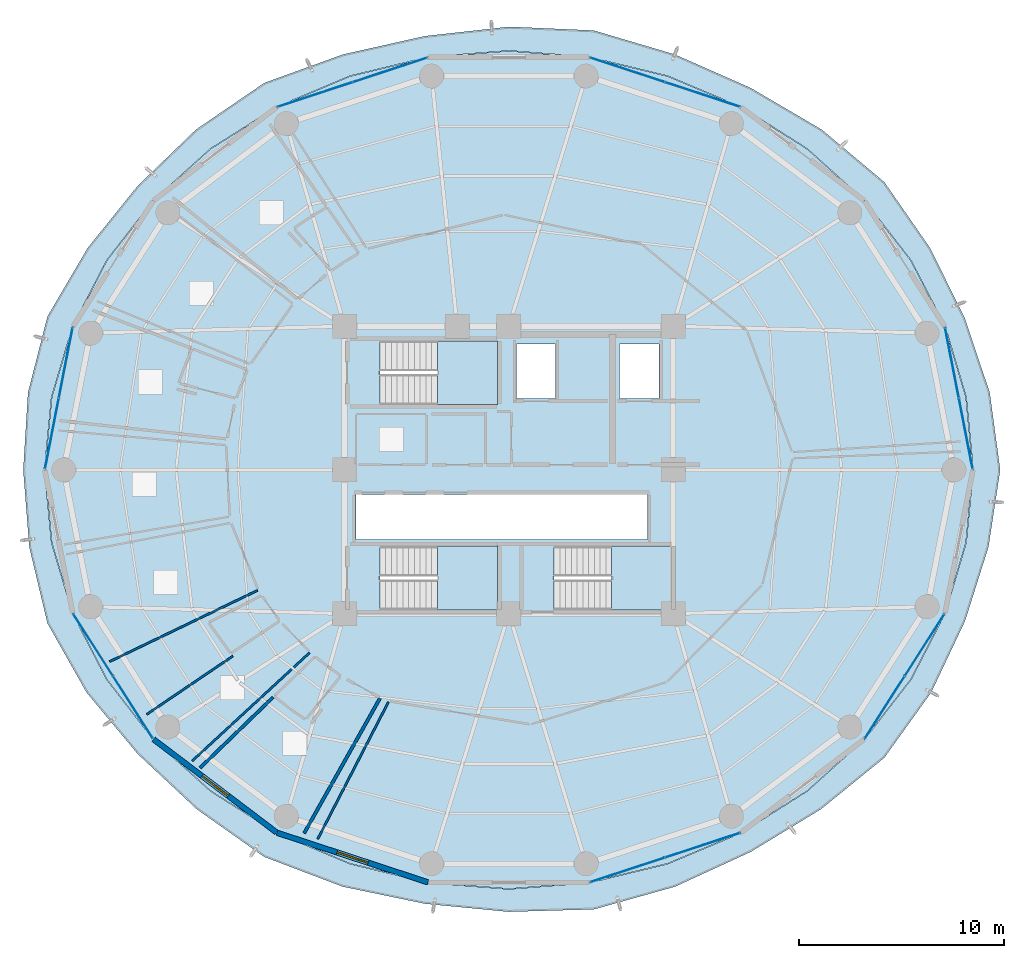
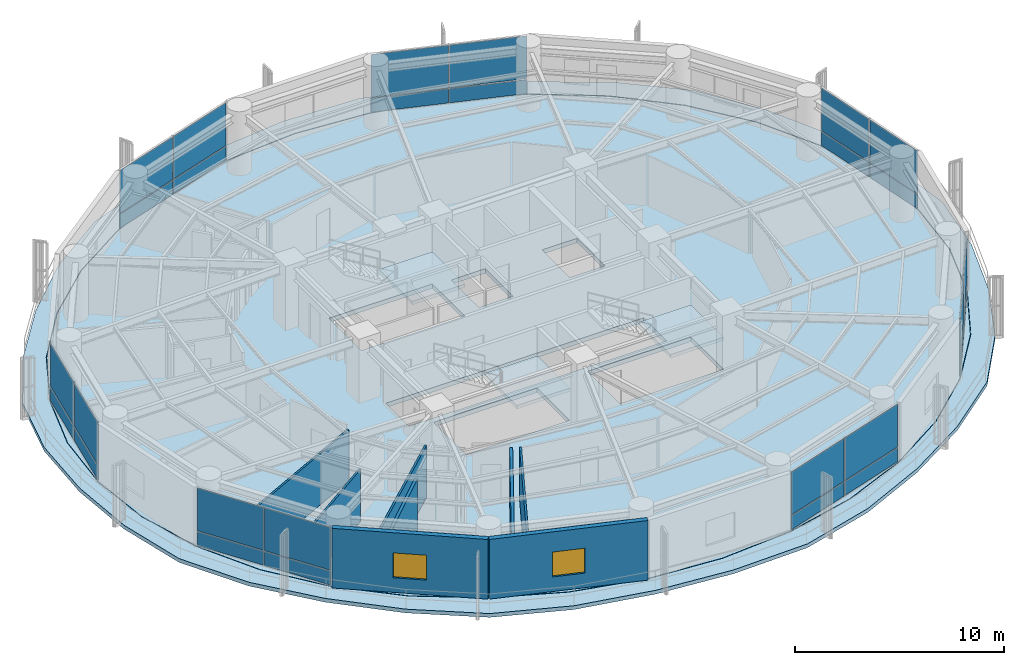
# One storey, part 20 of 28: 28 plates, 8 walls, 5 slabs, 2 windows, 2 openings, 10 elements without a shape of their own.
"""IFC4 building model written with IfcOpenShell, lengths in metres."""

import ifcopenshell
import ifcopenshell.guid

model = None  # the IFC model being written
_history = None  # IfcOwnerHistory: only IFC2X3 demands one
_inside = {}  # id of a spatial element -> (the spatial element, [elements in it])
_under = {}  # id of a project, library or spatial element -> (it, [spatial elements below it])
_declared = {}  # id of a project -> (the project, [libraries it declares])
_typed = {}  # id of a type object -> (the type object, [elements of that type])
_made_of = {}  # id of a material, layer set ... -> (it, [elements and type objects made of it])


def new_model(schema):
    """Start an empty IFC model of exactly this schema.

    Asked for "IFC4X3", IfcOpenShell would pick the latest addendum, in which some entities
    have other attributes; the version numbers below select the first issue.
    IFC2X3 requires an IfcOwnerHistory on every rooted entity: one is made here for all.
    """
    global model, _history
    if schema == "IFC4X3":
        model = ifcopenshell.file(schema_version=(4, 3, 0, 0))
    else:
        model = ifcopenshell.file(schema=schema)
    _inside.clear()
    _under.clear()
    _declared.clear()
    _typed.clear()
    _made_of.clear()
    _history = None
    if model.schema == "IFC2X3":
        org = make("IfcOrganization", Name="unknown")
        user = make(
            "IfcPersonAndOrganization",
            ThePerson=make("IfcPerson", FamilyName="unknown"),
            TheOrganization=org,
        )
        app = make(
            "IfcApplication",
            ApplicationDeveloper=org,
            Version="unknown",
            ApplicationFullName="unknown",
            ApplicationIdentifier="unknown",
        )
        _history = make(
            "IfcOwnerHistory",
            OwningUser=user,
            OwningApplication=app,
            ChangeAction="ADDED",
            CreationDate=0,
        )
    return model


def make(cls, **values):
    """One entity of the class cls with the attributes given. An attribute that is None is left unset."""
    return model.create_entity(
        cls, **{name: value for name, value in values.items() if value is not None}
    )


def rooted(cls, **values):
    """An entity with a GlobalId (a new one), such as an element, a storey or a relation."""
    return make(cls, GlobalId=ifcopenshell.guid.new(), OwnerHistory=_history, **values)


def si_unit(unit_type, name, prefix=None):
    """IfcSIUnit, for example si_unit("LENGTHUNIT", "METRE", prefix="MILLI")."""
    return make("IfcSIUnit", UnitType=unit_type, Prefix=prefix, Name=name)


def assignment(units):
    """IfcUnitAssignment: the units of a project."""
    return None if units is None else make("IfcUnitAssignment", Units=units)


def point(xyz):
    """IfcCartesianPoint."""
    return None if xyz is None else make("IfcCartesianPoint", Coordinates=xyz)


def direction(xyz):
    """IfcDirection."""
    return None if xyz is None else make("IfcDirection", DirectionRatios=xyz)


def frame(location, z_axis=None, x_axis=None):
    """IfcAxis2Placement3D, a coordinate frame: its origin and axes. An axis left out is left unset."""
    return make(
        "IfcAxis2Placement3D",
        Location=point(location),
        Axis=direction(z_axis),
        RefDirection=direction(x_axis),
    )


def frame_2d(location, x_axis=None):
    """IfcAxis2Placement2D, a coordinate frame in the plane: its origin and x axis."""
    return make(
        "IfcAxis2Placement2D", Location=point(location), RefDirection=direction(x_axis)
    )


def origin():
    """The frame at (0, 0, 0) with its axes left unset."""
    return frame((0.0, 0.0, 0.0))


def origin_2d():
    """The frame at (0, 0) in the plane with its x axis left unset."""
    return frame_2d((0.0, 0.0))


def place(relative_to, where):
    """IfcLocalPlacement: puts the frame where relative to a parent placement (None: the world)."""
    return make(
        "IfcLocalPlacement", PlacementRelTo=relative_to, RelativePlacement=where
    )


def context(
    kind, dimensions, precision=None, world=None, true_north=None, identifier=None
):
    """IfcGeometricRepresentationContext, for example the 3D "Model" context."""
    return make(
        "IfcGeometricRepresentationContext",
        ContextIdentifier=identifier,
        ContextType=kind,
        CoordinateSpaceDimension=dimensions,
        Precision=precision,
        WorldCoordinateSystem=world,
        TrueNorth=true_north,
    )


def subcontext(parent, identifier, kind, view, scale=None):
    """IfcGeometricRepresentationSubContext, for example "Body" below "Model"."""
    return make(
        "IfcGeometricRepresentationSubContext",
        ContextIdentifier=identifier,
        ContextType=kind,
        ParentContext=parent,
        TargetScale=scale,
        TargetView=view,
    )


def project(units=None, contexts=None):
    """IfcProject with its units and contexts."""
    return rooted(
        "IfcProject",
        Name="project",
        RepresentationContexts=contexts,
        UnitsInContext=assignment(units),
    )


def spatial(cls, under=None, at=None, **own):
    """A site, building, storey or space (cls), placed at a placement, below another one or the project."""
    s = rooted(cls, ObjectPlacement=at, **own)
    if under is not None:
        _under.setdefault(under.id(), (under, []))[1].append(s)
    return s


def polyline(points):
    """IfcPolyline through the points."""
    return make("IfcPolyline", Points=[point(p) for p in points])


def profile(cls, at=None, kind="AREA", **sizes):
    """A parametric profile (cls). Its sizes go by their IFC names, for example OverallWidth=200.0."""
    return make(cls, ProfileType=kind, Position=at, **sizes)


def rectangle(**sizes):
    """IfcRectangleProfileDef."""
    return profile("IfcRectangleProfileDef", **sizes)


def outline(outer, holes=None, kind="AREA"):
    """IfcArbitraryClosedProfileDef: a profile drawn as a closed curve; with holes, ...WithVoids."""
    if holes is None:
        return make("IfcArbitraryClosedProfileDef", ProfileType=kind, OuterCurve=outer)
    return make(
        "IfcArbitraryProfileDefWithVoids",
        ProfileType=kind,
        OuterCurve=outer,
        InnerCurves=holes,
    )


def extrude(swept, where, along, depth):
    """IfcExtrudedAreaSolid: the profile swept, set in the frame where, extruded along a direction by depth."""
    return make(
        "IfcExtrudedAreaSolid",
        SweptArea=swept,
        Position=where,
        ExtrudedDirection=direction(along),
        Depth=depth,
    )


def shape(context_of_items, identifier, shape_type, items):
    """IfcShapeRepresentation: the items that make up one representation, for example the "Body"."""
    return make(
        "IfcShapeRepresentation",
        ContextOfItems=context_of_items,
        RepresentationIdentifier=identifier,
        RepresentationType=shape_type,
        Items=items,
    )


def source(mapping_origin, context_of_items, identifier, shape_type, items):
    """IfcRepresentationMap: a shape defined once, which mapped items show again and again."""
    return make(
        "IfcRepresentationMap",
        MappingOrigin=mapping_origin,
        MappedRepresentation=shape(context_of_items, identifier, shape_type, items),
    )


def transform(
    local_origin,
    x_axis=None,
    y_axis=None,
    z_axis=None,
    scale=None,
    scale2=None,
    scale3=None,
    uniform=True,
):
    """IfcCartesianTransformationOperator3D, or its non-uniform kind. x_axis, y_axis, z_axis: its Axis1, 2, 3."""
    if uniform:
        return make(
            "IfcCartesianTransformationOperator3D",
            Axis1=direction(x_axis),
            Axis2=direction(y_axis),
            LocalOrigin=point(local_origin),
            Scale=scale,
            Axis3=direction(z_axis),
        )
    return make(
        "IfcCartesianTransformationOperator3DnonUniform",
        Axis1=direction(x_axis),
        Axis2=direction(y_axis),
        LocalOrigin=point(local_origin),
        Scale=scale,
        Axis3=direction(z_axis),
        Scale2=scale2,
        Scale3=scale3,
    )


def mapped(mapping_source, mapping_target):
    """IfcMappedItem: shows the shape of a source again, moved by a transform."""
    return make(
        "IfcMappedItem", MappingSource=mapping_source, MappingTarget=mapping_target
    )


def material(Name=None, Category=None):
    """IfcMaterial."""
    return make("IfcMaterial", Name=Name, Category=Category)


def layer(
    of_material, thickness, ventilated=None, Name=None, Category=None, Priority=None
):
    """IfcMaterialLayer: one layer of a wall or slab, of a material (None: an air gap)."""
    return make(
        "IfcMaterialLayer",
        Material=of_material,
        LayerThickness=thickness,
        IsVentilated=ventilated,
        Name=Name,
        Category=Category,
        Priority=Priority,
    )


def layer_set(layers, Name=None):
    """IfcMaterialLayerSet."""
    return make("IfcMaterialLayerSet", MaterialLayers=layers, LayerSetName=Name)


def made_of(thing, what):
    """Note that an element or type object is made of a material, layer set ...; save() writes the relation."""
    if what is not None:
        _made_of.setdefault(what.id(), (what, []))[1].append(thing)
    return thing


def type_object(cls, material=None, **own):
    """A type object (cls), such as IfcWallType, which elements share."""
    return made_of(rooted(cls, **own), material)


def element(
    cls,
    number,
    at=None,
    inside=None,
    cuts=None,
    type_object=None,
    material=None,
    context=None,
    identifier="Body",
    shape_type=None,
    held_by="IfcProductDefinitionShape",
    body=None,
    shapes=None,
    **own,
):
    """One element of the class cls, such as IfcWall. Its Tag is "e" and its number.

    at: its placement. inside: the storey or other place that contains it. cuts: it is an
    opening in that element (IfcRelVoidsElement). A single representation is given by context,
    identifier, shape_type and body (its items); several are given by shapes. held_by: the class
    of the entity that holds the representations. save() writes the other relations.
    """
    e = rooted(cls, Tag="e%d" % number, ObjectPlacement=at, **own)
    if body is not None:
        shapes = [shape(context, identifier, shape_type, body)]
    if shapes is not None:
        e.Representation = make(held_by, Representations=shapes)
    if inside is not None:
        _inside.setdefault(inside.id(), (inside, []))[1].append(e)
    if cuts is not None:
        rooted(
            "IfcRelVoidsElement", RelatingBuildingElement=cuts, RelatedOpeningElement=e
        )
    if type_object is not None:
        _typed.setdefault(type_object.id(), (type_object, []))[1].append(e)
    return made_of(e, material)


def fill(opening, filler):
    """IfcRelFillsElement: the door or window that sits in an opening."""
    return rooted(
        "IfcRelFillsElement",
        RelatingOpeningElement=opening,
        RelatedBuildingElement=filler,
    )


def aggregate(whole, parts):
    """IfcRelAggregates: a whole, such as a stair, and the parts it consists of."""
    return rooted("IfcRelAggregates", RelatingObject=whole, RelatedObjects=parts)


def save(model, path):
    """Write the relations noted so far, then the file.

    IfcRelAggregates (storeys below a building ...), IfcRelContainedInSpatialStructure (elements
    in a storey), IfcRelDefinesByType, IfcRelAssociatesMaterial and IfcRelDeclares: one each for
    every whole, place, type object, material and project.
    """
    for whole, parts in _under.values():
        aggregate(whole, parts)
    for where, things in _inside.values():
        rooted(
            "IfcRelContainedInSpatialStructure",
            RelatedElements=things,
            RelatingStructure=where,
        )
    for kind, things in _typed.values():
        rooted("IfcRelDefinesByType", RelatedObjects=things, RelatingType=kind)
    for what, things in _made_of.values():
        rooted("IfcRelAssociatesMaterial", RelatedObjects=things, RelatingMaterial=what)
    for by, libraries in _declared.values():
        rooted("IfcRelDeclares", RelatingContext=by, RelatedDefinitions=libraries)
    model.write(path)


model = new_model("IFC4")

# Units and contexts
model_context = context("Model", 3, precision=1e-05, world=origin(), true_north=direction((0.0, 1.0)))
body_context = subcontext(model_context, "Body", "Model", "MODEL_VIEW")
ifc_project = project(units=[si_unit("LENGTHUNIT", "METRE"), si_unit("AREAUNIT", "SQUARE_METRE"), si_unit("VOLUMEUNIT", "CUBIC_METRE"), si_unit("PLANEANGLEUNIT", "RADIAN"), si_unit("MASSUNIT", "GRAM", prefix="KILO")], contexts=[model_context])

# Site, building, storey
site_placement = place(None, origin())
site = spatial("IfcSite", under=ifc_project, at=site_placement, CompositionType="ELEMENT")
building_placement = place(site_placement, origin())
building = spatial("IfcBuilding", under=site, at=building_placement, Name="Kelanora Arch Commons", CompositionType="ELEMENT")
storey_placement = place(building_placement, frame((0.0, 0.0, 161.85009765625)))
storey = spatial("IfcBuildingStorey", under=building, at=storey_placement, Name="L41", CompositionType="ELEMENT", Elevation=161.85009765625)

# Stair, slab
ifc_material_1 = material(Name="Concrete C40/50", Category="concrete")
stair_type = type_object("IfcStairType", Name="STR-DL-375", PredefinedType="HALF_TURN_STAIR", material=ifc_material_1)
stair_1_placement = place(storey_placement, origin())
stair_1 = element("IfcStair", 1, at=stair_1_placement, inside=storey, type_object=stair_type, Name="L41 ST-T1", PredefinedType="HALF_TURN_STAIR")
ifc_layer_1 = layer(ifc_material_1, 0.199951171875)
ifc_layer_set_1 = layer_set([ifc_layer_1], Name="Concrete C40/50")
slab_type_1 = type_object("IfcSlabType", Name="SLB-STAIR-LND", PredefinedType="LANDING", material=ifc_layer_set_1)
slab_1_placement = place(storey_placement, frame((0.0, 0.0, 1.6748046875)))
slab_1 = element("IfcSlab", 2, at=slab_1_placement, type_object=slab_type_1, Name="ST-T1 landing 1", PredefinedType="LANDING", context=body_context, shape_type="SweptSolid", body=[
    extrude(outline(polyline([(70.52001953125, 61.179931640625), (73.43994140625, 61.179931640625), (73.43994140625, 64.2900390625), (70.52001953125, 64.2900390625), (70.52001953125, 61.179931640625)])), origin(), (0.0, 0.0, 1.0), 0.2001953125),
])
aggregate(stair_1, [slab_1])

stair_2_placement = place(storey_placement, origin())
stair_2 = element("IfcStair", 3, at=stair_2_placement, inside=storey, type_object=stair_type, Name="L41 ST-T2", PredefinedType="HALF_TURN_STAIR")
slab_2_placement = place(storey_placement, frame((0.0, 0.0, 1.6748046875)))
slab_2 = element("IfcSlab", 4, at=slab_2_placement, type_object=slab_type_1, Name="ST-T2 landing 1", PredefinedType="LANDING", context=body_context, shape_type="SweptSolid", body=[
    extrude(outline(polyline([(79.0, 51.179931640625), (81.919921875, 51.179931640625), (81.919921875, 54.2900390625), (79.0, 54.2900390625), (79.0, 51.179931640625)])), origin(), (0.0, 0.0, 1.0), 0.2001953125),
])
aggregate(stair_2, [slab_2])

stair_3_placement = place(storey_placement, origin())
stair_3 = element("IfcStair", 5, at=stair_3_placement, inside=storey, type_object=stair_type, Name="L41 ST-T3", PredefinedType="HALF_TURN_STAIR")
slab_3_placement = place(storey_placement, frame((0.0, 0.0, 1.6748046875)))
slab_3 = element("IfcSlab", 6, at=slab_3_placement, type_object=slab_type_1, Name="ST-T3 landing 1", PredefinedType="LANDING", context=body_context, shape_type="SweptSolid", body=[
    extrude(outline(polyline([(70.52001953125, 51.179931640625), (73.43994140625, 51.179931640625), (73.43994140625, 54.2900390625), (70.52001953125, 54.2900390625), (70.52001953125, 51.179931640625)])), origin(), (0.0, 0.0, 1.0), 0.2001953125),
])
aggregate(stair_3, [slab_3])

# Slabs
ifc_layer_2 = layer(ifc_material_1, 0.260009765625)
ifc_layer_set_2 = layer_set([ifc_layer_2], Name="Concrete C40/50")
slab_type_2 = type_object("IfcSlabType", Name="SLB-TWR-TYP", PredefinedType="FLOOR", material=ifc_layer_set_2)
slab_4_placement = place(storey_placement, frame((0.0, 0.0, -0.260009765625)))
element("IfcSlab", 7, at=slab_4_placement, inside=storey, type_object=slab_type_2, Name="Tower Floor Slab L41", PredefinedType="FLOOR", context=body_context, shape_type="SweptSolid", body=[
    extrude(outline(polyline([(96.60009765625, 58.0), (96.256591796875, 61.54248046875), (95.237060546875, 64.977294921875), (93.572265625, 68.199951171875), (91.3125, 71.11279296875), (88.527099609375, 73.627197265625), (85.300048828125, 75.6669921875), (81.729736328125, 77.169677734375), (77.92431640625, 78.090087890625), (74.0, 78.39990234375), (70.07568359375, 78.090087890625), (66.270263671875, 77.169677734375), (62.699951171875, 75.6669921875), (59.472900390625, 73.627197265625), (56.6875, 71.11279296875), (54.427734375, 68.199951171875), (52.762939453125, 64.977294921875), (51.743408203125, 61.54248046875), (51.39990234375, 58.0), (51.743408203125, 54.45751953125), (52.762939453125, 51.022705078125), (54.427734375, 47.800048828125), (56.6875, 44.88720703125), (59.472900390625, 42.372802734375), (62.699951171875, 40.3330078125), (66.270263671875, 38.830322265625), (70.07568359375, 37.909912109375), (74.0, 37.60009765625), (77.92431640625, 37.909912109375), (81.729736328125, 38.830322265625), (85.300048828125, 40.3330078125), (88.527099609375, 42.372802734375), (91.3125, 44.88720703125), (93.572265625, 47.800048828125), (95.237060546875, 51.022705078125), (96.256591796875, 54.45751953125), (96.60009765625, 58.0)]), holes=[polyline([(73.431884765625, 51.18798828125), (67.72802734375, 51.18798828125), (67.72802734375, 54.281982421875), (73.431884765625, 54.281982421875), (73.431884765625, 51.18798828125)]), polyline([(76.2080078125, 51.18798828125), (76.2080078125, 54.281982421875), (81.912109375, 54.281982421875), (81.912109375, 51.18798828125), (76.2080078125, 51.18798828125)]), polyline([(66.550048828125, 54.60009765625), (66.550048828125, 56.800048828125), (80.75, 56.800048828125), (80.75, 54.60009765625), (66.550048828125, 54.60009765625)]), polyline([(73.431884765625, 61.18798828125), (67.72802734375, 61.18798828125), (67.72802734375, 64.281982421875), (73.431884765625, 64.281982421875), (73.431884765625, 61.18798828125)]), polyline([(74.3798828125, 61.47998046875), (74.3798828125, 64.1201171875), (76.260009765625, 64.1201171875), (76.260009765625, 61.47998046875), (74.3798828125, 61.47998046875)]), polyline([(79.3798828125, 61.47998046875), (79.3798828125, 64.1201171875), (81.320068359375, 64.1201171875), (81.320068359375, 61.47998046875), (79.3798828125, 61.47998046875)])]), origin(), (0.0, 0.0, 1.0), 0.260009765625),
])
ifc_layer_3 = layer(ifc_material_1, 0.219970703125)
ifc_layer_set_3 = layer_set([ifc_layer_3], Name="Concrete C40/50")
slab_type_3 = type_object("IfcSlabType", Name="SLB-WAVE-BAL", PredefinedType="FLOOR", material=ifc_layer_set_3)
slab_5_placement = place(storey_placement, frame((0.0, 0.0, -0.22021484375)))
element("IfcSlab", 8, at=slab_5_placement, inside=storey, type_object=slab_type_3, Name="Sinusoidal Wave Balcony Slab L41", PredefinedType="FLOOR", context=body_context, shape_type="SweptSolid", body=[
    extrude(outline(polyline([(97.9287109375, 58.0), (97.41748046875, 61.769287109375), (96.2109375, 65.369873046875), (94.515869140625, 68.8037109375), (92.285888671875, 72.017578125), (89.2412109375, 74.570068359375), (85.785400390625, 76.59814453125), (82.079345703125, 78.23388671875), (78.13330078125, 79.40234375), (74.0, 79.582763671875), (69.910400390625, 79.126953125), (65.920654296875, 78.23388671875), (62.0859375, 76.84521484375), (58.7587890625, 74.570068359375), (55.91845703125, 71.827880859375), (53.484130859375, 68.8037109375), (51.530517578125, 65.47412109375), (50.58251953125, 61.769287109375), (50.35009765625, 58.0), (50.643798828125, 54.242919921875), (51.530517578125, 50.52587890625), (53.431396484375, 47.16259765625), (55.91845703125, 44.172119140625), (58.796630859375, 41.479736328125), (62.0859375, 39.15478515625), (65.901123046875, 37.70654296875), (69.910400390625, 36.873046875), (74.0, 36.479736328125), (78.13330078125, 36.59765625), (82.098876953125, 37.70654296875), (85.785400390625, 39.40185546875), (89.203369140625, 41.479736328125), (92.285888671875, 43.982421875), (94.568603515625, 47.16259765625), (96.2109375, 50.630126953125), (97.356201171875, 54.242919921875), (97.9287109375, 58.0)]), holes=[polyline([(96.2763671875, 54.4541015625), (95.255859375, 51.015869140625), (93.589599609375, 47.7900390625), (91.327880859375, 44.874267578125), (88.539794921875, 42.357421875), (85.31005859375, 40.31591796875), (81.736572265625, 38.8115234375), (77.927978515625, 37.89013671875), (74.0, 37.580078125), (70.072021484375, 37.89013671875), (66.263427734375, 38.8115234375), (62.68994140625, 40.31591796875), (59.460205078125, 42.357421875), (56.672119140625, 44.874267578125), (54.410400390625, 47.7900390625), (52.744140625, 51.015869140625), (51.7236328125, 54.4541015625), (51.3798828125, 58.0), (51.7236328125, 61.5458984375), (52.744140625, 64.984130859375), (54.410400390625, 68.2099609375), (56.672119140625, 71.125732421875), (59.460205078125, 73.642578125), (62.68994140625, 75.68408203125), (66.263427734375, 77.1884765625), (70.072021484375, 78.10986328125), (74.0, 78.419921875), (77.927978515625, 78.10986328125), (81.736572265625, 77.1884765625), (85.31005859375, 75.68408203125), (88.539794921875, 73.642578125), (91.327880859375, 71.125732421875), (93.589599609375, 68.2099609375), (95.255859375, 64.984130859375), (96.2763671875, 61.5458984375), (96.6201171875, 58.0), (96.2763671875, 54.4541015625)])]), origin(), (0.0, 0.0, 1.0), 0.22021484375),
])

# Curtain wall, plates
ifc_material_2 = material(Name="Terracotta ceramic-fritted low-E glass and aluminium", Category="masonry")
ifc_layer_4 = layer(ifc_material_2, 0.175048828125)
ifc_layer_set_4 = layer_set([ifc_layer_4], Name="Terracotta ceramic-fritted low-E glass and aluminium")
curtain_wall_type = type_object("IfcCurtainWallType", Name="CW-SYS-02", PredefinedType="NOTDEFINED", material=ifc_layer_set_4)
curtain_wall_1_placement = place(storey_placement, origin())
curtain_wall_1 = element("IfcCurtainWall", 9, at=curtain_wall_1_placement, inside=storey, type_object=curtain_wall_type, Name="Unitised Curtain Wall L41-B00", PredefinedType="NOTDEFINED")
ifc_material_3 = material(Name="Terracotta ceramic-fritted double glazing", Category="masonry")
ifc_layer_5 = layer(ifc_material_3, 0.028076171875)
ifc_layer_set_5 = layer_set([ifc_layer_5], Name="Terracotta ceramic-fritted double glazing")
plate_type = type_object("IfcPlateType", Name="CWP-FRIT", PredefinedType="CURTAIN_PANEL", material=ifc_layer_set_5)
shared_shape_1 = source(origin(), body_context, "Body", "SweptSolid", [
    extrude(rectangle(XDim=3.449462890625, YDim=0.028076171875, at=origin_2d()), origin(), (0.0, 0.0, 1.0), 0.81005859375),
])
plate_1_placement = place(storey_placement, frame((96.2548828125, 59.766357421875, 0.059814453125), z_axis=(0.0, 0.0, 1.0), x_axis=(-0.191705182375, 0.981452557718, 0.0)))
plate_1 = element("IfcPlate", 10, at=plate_1_placement, type_object=plate_type, Name="CW-02 panel 1.1", PredefinedType="CURTAIN_PANEL", context=body_context, shape_type="MappedRepresentation", body=[
    mapped(shared_shape_1, transform((0.0, 0.0, 0.0), scale=1.0)),
])
plate_2_placement = place(storey_placement, frame((95.58203125, 63.2109375, 0.059814453125), z_axis=(0.0, 0.0, 1.0), x_axis=(-0.191705182375, 0.981452557718, 0.0)))
plate_2 = element("IfcPlate", 11, at=plate_2_placement, type_object=plate_type, Name="CW-02 panel 2.1", PredefinedType="CURTAIN_PANEL", context=body_context, shape_type="MappedRepresentation", body=[
    mapped(shared_shape_1, transform((0.0, 0.0, 0.0), scale=1.0)),
])

curtain_wall_2_placement = place(storey_placement, origin())
curtain_wall_2 = element("IfcCurtainWall", 12, at=curtain_wall_2_placement, inside=storey, type_object=curtain_wall_type, Name="Unitised Curtain Wall L41-B08", PredefinedType="NOTDEFINED")
plate_3_placement = place(storey_placement, frame((52.41796875, 63.2109375, 0.059814453125), z_axis=(0.0, 0.0, 1.0), x_axis=(-0.191705182375, -0.981452557718, 0.0)))
plate_3 = element("IfcPlate", 13, at=plate_3_placement, type_object=plate_type, Name="CW-02 panel 1.1", PredefinedType="CURTAIN_PANEL", context=body_context, shape_type="MappedRepresentation", body=[
    mapped(shared_shape_1, transform((0.0, 0.0, 0.0), scale=1.0)),
])
plate_4_placement = place(storey_placement, frame((51.7451171875, 59.766357421875, 0.059814453125), z_axis=(0.0, 0.0, 1.0), x_axis=(-0.191705182375, -0.981452557718, 0.0)))
plate_4 = element("IfcPlate", 14, at=plate_4_placement, type_object=plate_type, Name="CW-02 panel 2.1", PredefinedType="CURTAIN_PANEL", context=body_context, shape_type="MappedRepresentation", body=[
    mapped(shared_shape_1, transform((0.0, 0.0, 0.0), scale=1.0)),
])

# Plate
shared_shape_2 = source(origin(), body_context, "Body", "SweptSolid", [
    extrude(rectangle(XDim=3.449462890625, YDim=0.028076171875, at=origin_2d()), origin(), (0.0, 0.0, 1.0), 2.485107421875),
])
plate_5_placement = place(storey_placement, frame((96.2548828125, 59.766357421875, 0.9296875), z_axis=(0.0, 0.0, 1.0), x_axis=(-0.191705182375, 0.981452557718, 0.0)))
plate_5 = element("IfcPlate", 15, at=plate_5_placement, type_object=plate_type, Name="CW-02 panel 1.2", PredefinedType="CURTAIN_PANEL", context=body_context, shape_type="MappedRepresentation", body=[
    mapped(shared_shape_2, transform((0.0, 0.0, 0.0), scale=1.0)),
])

plate_6_placement = place(storey_placement, frame((95.58203125, 63.2109375, 0.9296875), z_axis=(0.0, 0.0, 1.0), x_axis=(-0.191705182375, 0.981452557718, 0.0)))
plate_6 = element("IfcPlate", 16, at=plate_6_placement, type_object=plate_type, Name="CW-02 panel 2.2", PredefinedType="CURTAIN_PANEL", context=body_context, shape_type="MappedRepresentation", body=[
    mapped(shared_shape_2, transform((0.0, 0.0, 0.0), scale=1.0)),
])

aggregate(curtain_wall_1, [plate_1, plate_5, plate_2, plate_6])

plate_7_placement = place(storey_placement, frame((52.41796875, 63.2109375, 0.9296875), z_axis=(0.0, 0.0, 1.0), x_axis=(-0.191705182375, -0.981452557718, 0.0)))
plate_7 = element("IfcPlate", 17, at=plate_7_placement, type_object=plate_type, Name="CW-02 panel 1.2", PredefinedType="CURTAIN_PANEL", context=body_context, shape_type="MappedRepresentation", body=[
    mapped(shared_shape_2, transform((0.0, 0.0, 0.0), scale=1.0)),
])

plate_8_placement = place(storey_placement, frame((51.7451171875, 59.766357421875, 0.9296875), z_axis=(0.0, 0.0, 1.0), x_axis=(-0.191705182375, -0.981452557718, 0.0)))
plate_8 = element("IfcPlate", 18, at=plate_8_placement, type_object=plate_type, Name="CW-02 panel 2.2", PredefinedType="CURTAIN_PANEL", context=body_context, shape_type="MappedRepresentation", body=[
    mapped(shared_shape_2, transform((0.0, 0.0, 0.0), scale=1.0)),
])

aggregate(curtain_wall_2, [plate_3, plate_7, plate_4, plate_8])

# Curtain wall, plates
curtain_wall_3_placement = place(storey_placement, origin())
curtain_wall_3 = element("IfcCurtainWall", 19, at=curtain_wall_3_placement, inside=storey, type_object=curtain_wall_type, Name="Unitised Curtain Wall L41-B03", PredefinedType="NOTDEFINED")
shared_shape_3 = source(origin(), body_context, "Body", "SweptSolid", [
    extrude(rectangle(XDim=3.776611328125, YDim=0.028076171875, at=origin_2d()), origin(), (0.0, 0.0, 1.0), 0.81005859375),
])
plate_9_placement = place(storey_placement, frame((83.434814453125, 76.27978515625, 0.059814453125), z_axis=(0.0, 0.0, 1.0), x_axis=(-0.95003996605, 0.312128279571, 0.0)))
plate_9 = element("IfcPlate", 20, at=plate_9_placement, type_object=plate_type, Name="CW-02 panel 1.1", PredefinedType="CURTAIN_PANEL", context=body_context, shape_type="MappedRepresentation", body=[
    mapped(shared_shape_3, transform((0.0, 0.0, 0.0), scale=1.0)),
])
plate_10_placement = place(storey_placement, frame((79.789794921875, 77.477294921875, 0.059814453125), z_axis=(0.0, 0.0, 1.0), x_axis=(-0.95003996605, 0.312128279571, 0.0)))
plate_10 = element("IfcPlate", 21, at=plate_10_placement, type_object=plate_type, Name="CW-02 panel 2.1", PredefinedType="CURTAIN_PANEL", context=body_context, shape_type="MappedRepresentation", body=[
    mapped(shared_shape_3, transform((0.0, 0.0, 0.0), scale=1.0)),
])

curtain_wall_4_placement = place(storey_placement, origin())
curtain_wall_4 = element("IfcCurtainWall", 22, at=curtain_wall_4_placement, inside=storey, type_object=curtain_wall_type, Name="Unitised Curtain Wall L41-B05", PredefinedType="NOTDEFINED")
plate_11_placement = place(storey_placement, frame((68.210205078125, 77.477294921875, 0.059814453125), z_axis=(0.0, 0.0, 1.0), x_axis=(-0.95003996605, -0.312128279571, 0.0)))
plate_11 = element("IfcPlate", 23, at=plate_11_placement, type_object=plate_type, Name="CW-02 panel 1.1", PredefinedType="CURTAIN_PANEL", context=body_context, shape_type="MappedRepresentation", body=[
    mapped(shared_shape_3, transform((0.0, 0.0, 0.0), scale=1.0)),
])
plate_12_placement = place(storey_placement, frame((64.565185546875, 76.27978515625, 0.059814453125), z_axis=(0.0, 0.0, 1.0), x_axis=(-0.95003996605, -0.312128279571, 0.0)))
plate_12 = element("IfcPlate", 24, at=plate_12_placement, type_object=plate_type, Name="CW-02 panel 2.1", PredefinedType="CURTAIN_PANEL", context=body_context, shape_type="MappedRepresentation", body=[
    mapped(shared_shape_3, transform((0.0, 0.0, 0.0), scale=1.0)),
])

curtain_wall_5_placement = place(storey_placement, origin())
curtain_wall_5 = element("IfcCurtainWall", 25, at=curtain_wall_5_placement, inside=storey, type_object=curtain_wall_type, Name="Unitised Curtain Wall L41-B14", PredefinedType="NOTDEFINED")
plate_13_placement = place(storey_placement, frame((79.789794921875, 38.522705078125, 0.059814453125), z_axis=(0.0, 0.0, 1.0), x_axis=(0.95003996605, 0.312128279571, 0.0)))
plate_13 = element("IfcPlate", 26, at=plate_13_placement, type_object=plate_type, Name="CW-02 panel 1.1", PredefinedType="CURTAIN_PANEL", context=body_context, shape_type="MappedRepresentation", body=[
    mapped(shared_shape_3, transform((0.0, 0.0, 0.0), scale=1.0)),
])
plate_14_placement = place(storey_placement, frame((83.434814453125, 39.72021484375, 0.059814453125), z_axis=(0.0, 0.0, 1.0), x_axis=(0.95003996605, 0.312128279571, 0.0)))
plate_14 = element("IfcPlate", 27, at=plate_14_placement, type_object=plate_type, Name="CW-02 panel 2.1", PredefinedType="CURTAIN_PANEL", context=body_context, shape_type="MappedRepresentation", body=[
    mapped(shared_shape_3, transform((0.0, 0.0, 0.0), scale=1.0)),
])

# Plate
shared_shape_4 = source(origin(), body_context, "Body", "SweptSolid", [
    extrude(rectangle(XDim=3.776611328125, YDim=0.028076171875, at=origin_2d()), origin(), (0.0, 0.0, 1.0), 2.485107421875),
])
plate_15_placement = place(storey_placement, frame((83.434814453125, 76.27978515625, 0.9296875), z_axis=(0.0, 0.0, 1.0), x_axis=(-0.95003996605, 0.312128279571, 0.0)))
plate_15 = element("IfcPlate", 28, at=plate_15_placement, type_object=plate_type, Name="CW-02 panel 1.2", PredefinedType="CURTAIN_PANEL", context=body_context, shape_type="MappedRepresentation", body=[
    mapped(shared_shape_4, transform((0.0, 0.0, 0.0), scale=1.0)),
])

plate_16_placement = place(storey_placement, frame((79.789794921875, 77.477294921875, 0.9296875), z_axis=(0.0, 0.0, 1.0), x_axis=(-0.95003996605, 0.312128279571, 0.0)))
plate_16 = element("IfcPlate", 29, at=plate_16_placement, type_object=plate_type, Name="CW-02 panel 2.2", PredefinedType="CURTAIN_PANEL", context=body_context, shape_type="MappedRepresentation", body=[
    mapped(shared_shape_4, transform((0.0, 0.0, 0.0), scale=1.0)),
])

aggregate(curtain_wall_3, [plate_9, plate_15, plate_10, plate_16])

plate_17_placement = place(storey_placement, frame((68.210205078125, 77.477294921875, 0.9296875), z_axis=(0.0, 0.0, 1.0), x_axis=(-0.95003996605, -0.312128279571, 0.0)))
plate_17 = element("IfcPlate", 30, at=plate_17_placement, type_object=plate_type, Name="CW-02 panel 1.2", PredefinedType="CURTAIN_PANEL", context=body_context, shape_type="MappedRepresentation", body=[
    mapped(shared_shape_4, transform((0.0, 0.0, 0.0), scale=1.0)),
])

plate_18_placement = place(storey_placement, frame((64.565185546875, 76.27978515625, 0.9296875), z_axis=(0.0, 0.0, 1.0), x_axis=(-0.95003996605, -0.312128279571, 0.0)))
plate_18 = element("IfcPlate", 31, at=plate_18_placement, type_object=plate_type, Name="CW-02 panel 2.2", PredefinedType="CURTAIN_PANEL", context=body_context, shape_type="MappedRepresentation", body=[
    mapped(shared_shape_4, transform((0.0, 0.0, 0.0), scale=1.0)),
])

aggregate(curtain_wall_4, [plate_11, plate_17, plate_12, plate_18])

plate_19_placement = place(storey_placement, frame((79.789794921875, 38.522705078125, 0.9296875), z_axis=(0.0, 0.0, 1.0), x_axis=(0.95003996605, 0.312128279571, 0.0)))
plate_19 = element("IfcPlate", 32, at=plate_19_placement, type_object=plate_type, Name="CW-02 panel 1.2", PredefinedType="CURTAIN_PANEL", context=body_context, shape_type="MappedRepresentation", body=[
    mapped(shared_shape_4, transform((0.0, 0.0, 0.0), scale=1.0)),
])

plate_20_placement = place(storey_placement, frame((83.434814453125, 39.72021484375, 0.9296875), z_axis=(0.0, 0.0, 1.0), x_axis=(0.95003996605, 0.312128279571, 0.0)))
plate_20 = element("IfcPlate", 33, at=plate_20_placement, type_object=plate_type, Name="CW-02 panel 2.2", PredefinedType="CURTAIN_PANEL", context=body_context, shape_type="MappedRepresentation", body=[
    mapped(shared_shape_4, transform((0.0, 0.0, 0.0), scale=1.0)),
])

aggregate(curtain_wall_5, [plate_13, plate_19, plate_14, plate_20])

# Curtain wall, plates
curtain_wall_6_placement = place(storey_placement, origin())
curtain_wall_6 = element("IfcCurtainWall", 34, at=curtain_wall_6_placement, inside=storey, type_object=curtain_wall_type, Name="Unitised Curtain Wall L41-B10", PredefinedType="NOTDEFINED")
shared_shape_5 = source(origin(), body_context, "Body", "SweptSolid", [
    extrude(rectangle(XDim=3.53662109375, YDim=0.028076171875, at=origin_2d()), origin(), (0.0, 0.0, 1.0), 0.81005859375),
])
plate_21_placement = place(storey_placement, frame((53.756103515625, 49.469970703125, 0.059814453125), z_axis=(0.0, 0.0, 1.0), x_axis=(0.538816988983, -0.842422846546, 0.0)))
plate_21 = element("IfcPlate", 35, at=plate_21_placement, type_object=plate_type, Name="CW-02 panel 1.1", PredefinedType="CURTAIN_PANEL", context=body_context, shape_type="MappedRepresentation", body=[
    mapped(shared_shape_5, transform((0.0, 0.0, 0.0), scale=1.0)),
])
plate_22_placement = place(storey_placement, frame((55.694091796875, 46.43994140625, 0.059814453125), z_axis=(0.0, 0.0, 1.0), x_axis=(0.538816988983, -0.842422846546, 0.0)))
plate_22 = element("IfcPlate", 36, at=plate_22_placement, type_object=plate_type, Name="CW-02 panel 2.1", PredefinedType="CURTAIN_PANEL", context=body_context, shape_type="MappedRepresentation", body=[
    mapped(shared_shape_5, transform((0.0, 0.0, 0.0), scale=1.0)),
])

curtain_wall_7_placement = place(storey_placement, origin())
curtain_wall_7 = element("IfcCurtainWall", 37, at=curtain_wall_7_placement, inside=storey, type_object=curtain_wall_type, Name="Unitised Curtain Wall L41-B16", PredefinedType="NOTDEFINED")
plate_23_placement = place(storey_placement, frame((92.305908203125, 46.43994140625, 0.059814453125), z_axis=(0.0, 0.0, 1.0), x_axis=(0.538816988983, 0.842422846546, 0.0)))
plate_23 = element("IfcPlate", 38, at=plate_23_placement, type_object=plate_type, Name="CW-02 panel 1.1", PredefinedType="CURTAIN_PANEL", context=body_context, shape_type="MappedRepresentation", body=[
    mapped(shared_shape_5, transform((0.0, 0.0, 0.0), scale=1.0)),
])
plate_24_placement = place(storey_placement, frame((94.243896484375, 49.469970703125, 0.059814453125), z_axis=(0.0, 0.0, 1.0), x_axis=(0.538816988983, 0.842422846546, 0.0)))
plate_24 = element("IfcPlate", 39, at=plate_24_placement, type_object=plate_type, Name="CW-02 panel 2.1", PredefinedType="CURTAIN_PANEL", context=body_context, shape_type="MappedRepresentation", body=[
    mapped(shared_shape_5, transform((0.0, 0.0, 0.0), scale=1.0)),
])

# Plate
shared_shape_6 = source(origin(), body_context, "Body", "SweptSolid", [
    extrude(rectangle(XDim=3.53662109375, YDim=0.028076171875, at=origin_2d()), origin(), (0.0, 0.0, 1.0), 2.485107421875),
])
plate_25_placement = place(storey_placement, frame((53.756103515625, 49.469970703125, 0.9296875), z_axis=(0.0, 0.0, 1.0), x_axis=(0.538816988983, -0.842422846546, 0.0)))
plate_25 = element("IfcPlate", 40, at=plate_25_placement, type_object=plate_type, Name="CW-02 panel 1.2", PredefinedType="CURTAIN_PANEL", context=body_context, shape_type="MappedRepresentation", body=[
    mapped(shared_shape_6, transform((0.0, 0.0, 0.0), scale=1.0)),
])

plate_26_placement = place(storey_placement, frame((55.694091796875, 46.43994140625, 0.9296875), z_axis=(0.0, 0.0, 1.0), x_axis=(0.538816988983, -0.842422846546, 0.0)))
plate_26 = element("IfcPlate", 41, at=plate_26_placement, type_object=plate_type, Name="CW-02 panel 2.2", PredefinedType="CURTAIN_PANEL", context=body_context, shape_type="MappedRepresentation", body=[
    mapped(shared_shape_6, transform((0.0, 0.0, 0.0), scale=1.0)),
])

aggregate(curtain_wall_6, [plate_21, plate_25, plate_22, plate_26])

plate_27_placement = place(storey_placement, frame((92.305908203125, 46.43994140625, 0.9296875), z_axis=(0.0, 0.0, 1.0), x_axis=(0.538816988983, 0.842422846546, 0.0)))
plate_27 = element("IfcPlate", 42, at=plate_27_placement, type_object=plate_type, Name="CW-02 panel 1.2", PredefinedType="CURTAIN_PANEL", context=body_context, shape_type="MappedRepresentation", body=[
    mapped(shared_shape_6, transform((0.0, 0.0, 0.0), scale=1.0)),
])

plate_28_placement = place(storey_placement, frame((94.243896484375, 49.469970703125, 0.9296875), z_axis=(0.0, 0.0, 1.0), x_axis=(0.538816988983, 0.842422846546, 0.0)))
plate_28 = element("IfcPlate", 43, at=plate_28_placement, type_object=plate_type, Name="CW-02 panel 2.2", PredefinedType="CURTAIN_PANEL", context=body_context, shape_type="MappedRepresentation", body=[
    mapped(shared_shape_6, transform((0.0, 0.0, 0.0), scale=1.0)),
])

aggregate(curtain_wall_7, [plate_23, plate_27, plate_24, plate_28])

# Walls
ifc_material_4 = material(Name="Autoclaved aerated concrete blockwork with fire plaster", Category="masonry")
ifc_layer_6 = layer(ifc_material_4, 0.14990234375)
ifc_layer_set_6 = layer_set([ifc_layer_6], Name="Autoclaved aerated concrete blockwork with fire plaster")
wall_type_1 = type_object("IfcWallType", Name="W-COMP-150", PredefinedType="PARTITIONING", material=ifc_layer_set_6)
wall_1_placement = place(storey_placement, frame((67.723388671875, 46.880126953125, 0.0), z_axis=(0.0, 0.0, 1.0), x_axis=(-0.489843086235, -0.8718106164, 0.0)))
element("IfcWall", 44, at=wall_1_placement, inside=storey, type_object=wall_type_1, Name="Cluster Bedroom L41-07 Enclosure Partition 2", PredefinedType="PARTITIONING", context=body_context, shape_type="SweptSolid", body=[
    extrude(rectangle(XDim=7.540771484375, YDim=0.14990234375, at=frame_2d((3.7705078125, 0.0))), origin(), (0.0, 0.0, 1.0), 3.02490234375),
])
wall_2_placement = place(storey_placement, frame((58.9658203125, 43.49169921875, 0.0), z_axis=(0.0, 0.0, 1.0), x_axis=(0.718569427948, 0.695455230204, 0.0)))
element("IfcWall", 45, at=wall_2_placement, inside=storey, type_object=wall_type_1, Name="Cluster Bedroom L41-07 Enclosure Partition 5", PredefinedType="PARTITIONING", context=body_context, shape_type="SweptSolid", body=[
    extrude(rectangle(XDim=4.9326171875, YDim=0.14990234375, at=frame_2d((2.46630859375, 0.0))), origin(), (0.0, 0.0, 1.0), 3.02490234375),
])

# Wall, opening, window
ifc_material_5 = material(Name="Precast concrete C40/50 with terracotta rainscreen", Category="masonry")
ifc_layer_7 = layer(ifc_material_5, 0.260009765625)
ifc_layer_set_7 = layer_set([ifc_layer_7], Name="Precast concrete C40/50 with terracotta rainscreen")
wall_type_2 = type_object("IfcWallType", Name="W-EXT-TC", PredefinedType="SOLIDWALL", material=ifc_layer_set_7)
wall_3_placement = place(storey_placement, frame((56.699462890625, 44.8779296875, 0.0), z_axis=(0.0, 0.0, 1.0), x_axis=(0.797163719609, -0.603763202042, 0.0)))
wall_3 = element("IfcWall", 46, at=wall_3_placement, inside=storey, type_object=wall_type_2, Name="Terracotta Exterior Wall L41-B11", PredefinedType="SOLIDWALL", context=body_context, shape_type="SweptSolid", body=[
    extrude(rectangle(XDim=7.51220703125, YDim=0.260009765625, at=frame_2d((3.756103515625, 0.0))), origin(), (0.0, 0.0, 1.0), 3.474853515625),
])
opening_1_placement = place(wall_3_placement, frame((2.9560546875, 0.0, 0.85009765625)))
opening_1 = element("IfcOpeningElement", 47, at=opening_1_placement, cuts=wall_3, Name="Opening WN-01", PredefinedType="OPENING", context=body_context, shape_type="SweptSolid", body=[
    extrude(rectangle(XDim=1.60009765625, YDim=1.449951171875, at=frame_2d((0.800048828125, 0.72509765625))), frame((0.0, 0.14013671875, 0.0), z_axis=(0.0, -1.0, 0.0), x_axis=(1.0, 0.0, 0.0)), (0.0, 0.0, 1.0), 0.280029296875),
])
ifc_material_6 = material(Name="Terracotta-anodised aluminium frame with operable low-E glazing", Category="masonry")
window_type = type_object("IfcWindowType", Name="WIN-CL-18", PartitioningType="DOUBLE_PANEL_VERTICAL", PredefinedType="WINDOW", material=ifc_material_6)
window_1_placement = place(opening_1_placement, origin())
window_1 = element("IfcWindow", 48, at=window_1_placement, inside=storey, type_object=window_type, Name="Co-Living Operable Window L41-B11", OverallHeight=1.449951171875, OverallWidth=1.60009765625, PartitioningType="SINGLE_PANEL", PredefinedType="WINDOW", context=body_context, shape_type="SweptSolid", body=[
    extrude(rectangle(XDim=1.60009765625, YDim=1.449951171875, at=frame_2d((0.800048828125, 0.72509765625))), frame((0.0, 0.030029296875, 0.0), z_axis=(0.0, -1.0, 0.0), x_axis=(1.0, 0.0, 0.0)), (0.0, 0.0, 1.0), 0.06005859375),
])
fill(opening_1, window_1)

wall_4_placement = place(storey_placement, frame((62.71435546875, 40.328369140625, 0.0), z_axis=(0.0, 0.0, 1.0), x_axis=(0.950038302428, -0.312133343173, 0.0)))
wall_4 = element("IfcWall", 49, at=wall_4_placement, inside=storey, type_object=wall_type_2, Name="Terracotta Exterior Wall L41-B12", PredefinedType="SOLIDWALL", context=body_context, shape_type="SweptSolid", body=[
    extrude(rectangle(XDim=7.7333984375, YDim=0.260009765625, at=frame_2d((3.86669921875, 0.0))), origin(), (0.0, 0.0, 1.0), 3.474853515625),
])
opening_2_placement = place(wall_4_placement, frame((3.06689453125, 0.0, 0.85009765625)))
opening_2 = element("IfcOpeningElement", 50, at=opening_2_placement, cuts=wall_4, Name="Opening WN-01", PredefinedType="OPENING", context=body_context, shape_type="SweptSolid", body=[
    extrude(rectangle(XDim=1.60009765625, YDim=1.449951171875, at=frame_2d((0.800048828125, 0.72509765625))), frame((0.0, 0.14013671875, 0.0), z_axis=(0.0, -1.0, 0.0), x_axis=(1.0, 0.0, 0.0)), (0.0, 0.0, 1.0), 0.280029296875),
])
window_2_placement = place(opening_2_placement, origin())
window_2 = element("IfcWindow", 51, at=window_2_placement, inside=storey, type_object=window_type, Name="Co-Living Operable Window L41-B12", OverallHeight=1.449951171875, OverallWidth=1.60009765625, PartitioningType="SINGLE_PANEL", PredefinedType="WINDOW", context=body_context, shape_type="SweptSolid", body=[
    extrude(rectangle(XDim=1.60009765625, YDim=1.449951171875, at=frame_2d((0.800048828125, 0.72509765625))), frame((0.0, 0.030029296875, 0.0), z_axis=(0.0, -1.0, 0.0), x_axis=(1.0, 0.0, 0.0)), (0.0, 0.0, 1.0), 0.06005859375),
])
fill(opening_2, window_2)

# Walls
ifc_material_7 = material(Name="Lightweight fire-rated acoustic stud partition")
ifc_layer_8 = layer(ifc_material_7, 0.10009765625)
ifc_layer_set_8 = layer_set([ifc_layer_8], Name="Lightweight fire-rated acoustic stud partition")
wall_type_3 = type_object("IfcWallType", Name="W-PART-100", PredefinedType="PARTITIONING", material=ifc_layer_set_8)
wall_5_placement = place(storey_placement, frame((64.6875, 40.0185546875, 0.0), z_axis=(0.0, 0.0, 1.0), x_axis=(0.458748787104, 0.888566007864, 0.0)))
element("IfcWall", 52, at=wall_5_placement, inside=storey, type_object=wall_type_3, Name="South-East Social Sky Lounge L41 Enclosure Partition 10", PredefinedType="PARTITIONING", context=body_context, shape_type="SweptSolid", body=[
    extrude(rectangle(XDim=7.518798828125, YDim=0.10009765625, at=frame_2d((3.75927734375, 0.0))), origin(), (0.0, 0.0, 1.0), 3.02490234375),
])
wall_6_placement = place(storey_placement, frame((61.760986328125, 52.133544921875, 0.0), z_axis=(0.0, 0.0, 1.0), x_axis=(-0.900968975812, -0.433883515042, 0.0)))
element("IfcWall", 53, at=wall_6_placement, inside=storey, type_object=wall_type_3, Name="Social Sky Lounge L41-05 Enclosure Partition 2", PredefinedType="PARTITIONING", context=body_context, shape_type="SweptSolid", body=[
    extrude(rectangle(XDim=8.000244140625, YDim=0.10009765625, at=frame_2d((4.0, 0.0))), origin(), (0.0, 0.0, 1.0), 2.974853515625),
])
wall_7_placement = place(storey_placement, frame((64.29150390625, 49.093994140625, 0.0), z_axis=(0.0, 0.0, 1.0), x_axis=(-0.73529828134, -0.677743636973, 0.0)))
element("IfcWall", 54, at=wall_7_placement, inside=storey, type_object=wall_type_3, Name="Tutorial Study Alcove L41-06 Enclosure Partition 2", PredefinedType="PARTITIONING", context=body_context, shape_type="SweptSolid", body=[
    extrude(rectangle(XDim=7.771240234375, YDim=0.10009765625, at=frame_2d((3.8857421875, 0.0))), origin(), (0.0, 0.0, 1.0), 3.02490234375),
])
wall_8_placement = place(storey_placement, frame((56.3671875, 46.096435546875, 0.0), z_axis=(0.0, 0.0, 1.0), x_axis=(0.828061619218, 0.560637097219, 0.0)))
element("IfcWall", 55, at=wall_8_placement, inside=storey, type_object=wall_type_3, Name="Tutorial Study Alcove L41-06 Enclosure Partition 4", PredefinedType="PARTITIONING", context=body_context, shape_type="SweptSolid", body=[
    extrude(rectangle(XDim=5.06494140625, YDim=0.10009765625, at=frame_2d((2.532470703125, 0.0))), origin(), (0.0, 0.0, 1.0), 3.02490234375),
])

save(model, "model.ifc")
